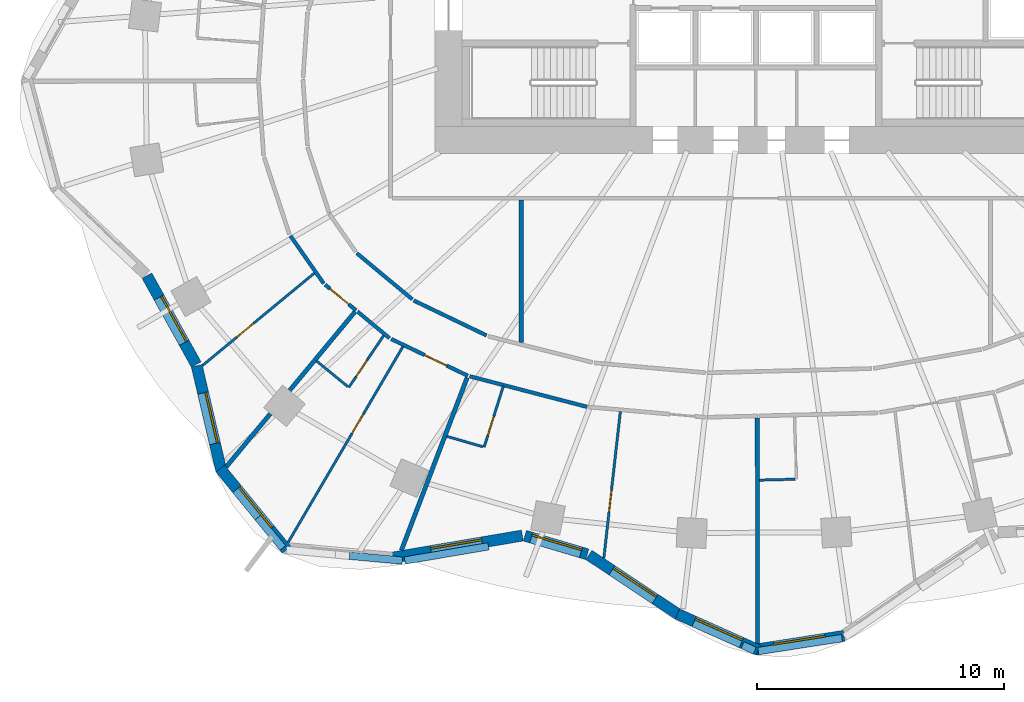
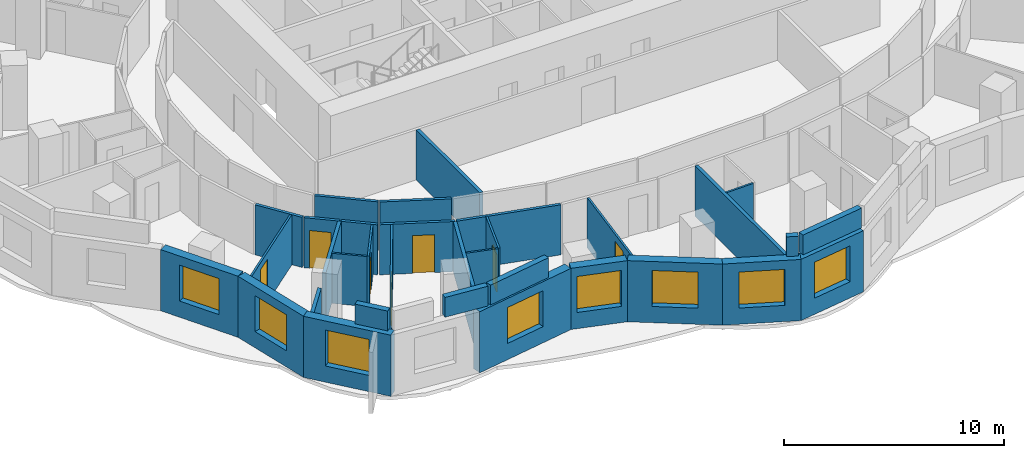
# One storey, part 3 of 11: 33 walls, 8 windows, 7 doors, 15 openings.
"""IFC4 building model written with IfcOpenShell, lengths in metres."""

import ifcopenshell
import ifcopenshell.guid

model = None  # the IFC model being written
_history = None  # IfcOwnerHistory: only IFC2X3 demands one
_inside = {}  # id of a spatial element -> (the spatial element, [elements in it])
_under = {}  # id of a project, library or spatial element -> (it, [spatial elements below it])
_declared = {}  # id of a project -> (the project, [libraries it declares])
_typed = {}  # id of a type object -> (the type object, [elements of that type])
_made_of = {}  # id of a material, layer set ... -> (it, [elements and type objects made of it])


def new_model(schema):
    """Start an empty IFC model of exactly this schema.

    Asked for "IFC4X3", IfcOpenShell would pick the latest addendum, in which some entities
    have other attributes; the version numbers below select the first issue.
    IFC2X3 requires an IfcOwnerHistory on every rooted entity: one is made here for all.
    """
    global model, _history
    if schema == "IFC4X3":
        model = ifcopenshell.file(schema_version=(4, 3, 0, 0))
    else:
        model = ifcopenshell.file(schema=schema)
    _inside.clear()
    _under.clear()
    _declared.clear()
    _typed.clear()
    _made_of.clear()
    _history = None
    if model.schema == "IFC2X3":
        org = make("IfcOrganization", Name="unknown")
        user = make(
            "IfcPersonAndOrganization",
            ThePerson=make("IfcPerson", FamilyName="unknown"),
            TheOrganization=org,
        )
        app = make(
            "IfcApplication",
            ApplicationDeveloper=org,
            Version="unknown",
            ApplicationFullName="unknown",
            ApplicationIdentifier="unknown",
        )
        _history = make(
            "IfcOwnerHistory",
            OwningUser=user,
            OwningApplication=app,
            ChangeAction="ADDED",
            CreationDate=0,
        )
    return model


def make(cls, **values):
    """One entity of the class cls with the attributes given. An attribute that is None is left unset."""
    return model.create_entity(
        cls, **{name: value for name, value in values.items() if value is not None}
    )


def rooted(cls, **values):
    """An entity with a GlobalId (a new one), such as an element, a storey or a relation."""
    return make(cls, GlobalId=ifcopenshell.guid.new(), OwnerHistory=_history, **values)


def si_unit(unit_type, name, prefix=None):
    """IfcSIUnit, for example si_unit("LENGTHUNIT", "METRE", prefix="MILLI")."""
    return make("IfcSIUnit", UnitType=unit_type, Prefix=prefix, Name=name)


def assignment(units):
    """IfcUnitAssignment: the units of a project."""
    return None if units is None else make("IfcUnitAssignment", Units=units)


def point(xyz):
    """IfcCartesianPoint."""
    return None if xyz is None else make("IfcCartesianPoint", Coordinates=xyz)


def direction(xyz):
    """IfcDirection."""
    return None if xyz is None else make("IfcDirection", DirectionRatios=xyz)


def frame(location, z_axis=None, x_axis=None):
    """IfcAxis2Placement3D, a coordinate frame: its origin and axes. An axis left out is left unset."""
    return make(
        "IfcAxis2Placement3D",
        Location=point(location),
        Axis=direction(z_axis),
        RefDirection=direction(x_axis),
    )


def frame_2d(location, x_axis=None):
    """IfcAxis2Placement2D, a coordinate frame in the plane: its origin and x axis."""
    return make(
        "IfcAxis2Placement2D", Location=point(location), RefDirection=direction(x_axis)
    )


def origin():
    """The frame at (0, 0, 0) with its axes left unset."""
    return frame((0.0, 0.0, 0.0))


def place(relative_to, where):
    """IfcLocalPlacement: puts the frame where relative to a parent placement (None: the world)."""
    return make(
        "IfcLocalPlacement", PlacementRelTo=relative_to, RelativePlacement=where
    )


def context(
    kind, dimensions, precision=None, world=None, true_north=None, identifier=None
):
    """IfcGeometricRepresentationContext, for example the 3D "Model" context."""
    return make(
        "IfcGeometricRepresentationContext",
        ContextIdentifier=identifier,
        ContextType=kind,
        CoordinateSpaceDimension=dimensions,
        Precision=precision,
        WorldCoordinateSystem=world,
        TrueNorth=true_north,
    )


def subcontext(parent, identifier, kind, view, scale=None):
    """IfcGeometricRepresentationSubContext, for example "Body" below "Model"."""
    return make(
        "IfcGeometricRepresentationSubContext",
        ContextIdentifier=identifier,
        ContextType=kind,
        ParentContext=parent,
        TargetScale=scale,
        TargetView=view,
    )


def project(units=None, contexts=None):
    """IfcProject with its units and contexts."""
    return rooted(
        "IfcProject",
        Name="project",
        RepresentationContexts=contexts,
        UnitsInContext=assignment(units),
    )


def spatial(cls, under=None, at=None, **own):
    """A site, building, storey or space (cls), placed at a placement, below another one or the project."""
    s = rooted(cls, ObjectPlacement=at, **own)
    if under is not None:
        _under.setdefault(under.id(), (under, []))[1].append(s)
    return s


def profile(cls, at=None, kind="AREA", **sizes):
    """A parametric profile (cls). Its sizes go by their IFC names, for example OverallWidth=200.0."""
    return make(cls, ProfileType=kind, Position=at, **sizes)


def rectangle(**sizes):
    """IfcRectangleProfileDef."""
    return profile("IfcRectangleProfileDef", **sizes)


def extrude(swept, where, along, depth):
    """IfcExtrudedAreaSolid: the profile swept, set in the frame where, extruded along a direction by depth."""
    return make(
        "IfcExtrudedAreaSolid",
        SweptArea=swept,
        Position=where,
        ExtrudedDirection=direction(along),
        Depth=depth,
    )


def shape(context_of_items, identifier, shape_type, items):
    """IfcShapeRepresentation: the items that make up one representation, for example the "Body"."""
    return make(
        "IfcShapeRepresentation",
        ContextOfItems=context_of_items,
        RepresentationIdentifier=identifier,
        RepresentationType=shape_type,
        Items=items,
    )


def material(Name=None, Category=None):
    """IfcMaterial."""
    return make("IfcMaterial", Name=Name, Category=Category)


def layer(
    of_material, thickness, ventilated=None, Name=None, Category=None, Priority=None
):
    """IfcMaterialLayer: one layer of a wall or slab, of a material (None: an air gap)."""
    return make(
        "IfcMaterialLayer",
        Material=of_material,
        LayerThickness=thickness,
        IsVentilated=ventilated,
        Name=Name,
        Category=Category,
        Priority=Priority,
    )


def layer_set(layers, Name=None):
    """IfcMaterialLayerSet."""
    return make("IfcMaterialLayerSet", MaterialLayers=layers, LayerSetName=Name)


def made_of(thing, what):
    """Note that an element or type object is made of a material, layer set ...; save() writes the relation."""
    if what is not None:
        _made_of.setdefault(what.id(), (what, []))[1].append(thing)
    return thing


def type_object(cls, material=None, **own):
    """A type object (cls), such as IfcWallType, which elements share."""
    return made_of(rooted(cls, **own), material)


def element(
    cls,
    number,
    at=None,
    inside=None,
    cuts=None,
    type_object=None,
    material=None,
    context=None,
    identifier="Body",
    shape_type=None,
    held_by="IfcProductDefinitionShape",
    body=None,
    shapes=None,
    **own,
):
    """One element of the class cls, such as IfcWall. Its Tag is "e" and its number.

    at: its placement. inside: the storey or other place that contains it. cuts: it is an
    opening in that element (IfcRelVoidsElement). A single representation is given by context,
    identifier, shape_type and body (its items); several are given by shapes. held_by: the class
    of the entity that holds the representations. save() writes the other relations.
    """
    e = rooted(cls, Tag="e%d" % number, ObjectPlacement=at, **own)
    if body is not None:
        shapes = [shape(context, identifier, shape_type, body)]
    if shapes is not None:
        e.Representation = make(held_by, Representations=shapes)
    if inside is not None:
        _inside.setdefault(inside.id(), (inside, []))[1].append(e)
    if cuts is not None:
        rooted(
            "IfcRelVoidsElement", RelatingBuildingElement=cuts, RelatedOpeningElement=e
        )
    if type_object is not None:
        _typed.setdefault(type_object.id(), (type_object, []))[1].append(e)
    return made_of(e, material)


def fill(opening, filler):
    """IfcRelFillsElement: the door or window that sits in an opening."""
    return rooted(
        "IfcRelFillsElement",
        RelatingOpeningElement=opening,
        RelatedBuildingElement=filler,
    )


def aggregate(whole, parts):
    """IfcRelAggregates: a whole, such as a stair, and the parts it consists of."""
    return rooted("IfcRelAggregates", RelatingObject=whole, RelatedObjects=parts)


def save(model, path):
    """Write the relations noted so far, then the file.

    IfcRelAggregates (storeys below a building ...), IfcRelContainedInSpatialStructure (elements
    in a storey), IfcRelDefinesByType, IfcRelAssociatesMaterial and IfcRelDeclares: one each for
    every whole, place, type object, material and project.
    """
    for whole, parts in _under.values():
        aggregate(whole, parts)
    for where, things in _inside.values():
        rooted(
            "IfcRelContainedInSpatialStructure",
            RelatedElements=things,
            RelatingStructure=where,
        )
    for kind, things in _typed.values():
        rooted("IfcRelDefinesByType", RelatedObjects=things, RelatingType=kind)
    for what, things in _made_of.values():
        rooted("IfcRelAssociatesMaterial", RelatedObjects=things, RelatingMaterial=what)
    for by, libraries in _declared.values():
        rooted("IfcRelDeclares", RelatingContext=by, RelatedDefinitions=libraries)
    model.write(path)


model = new_model("IFC4")

# Units and contexts
model_context = context("Model", 3, precision=1e-05, world=origin(), true_north=direction((0.0, 1.0)))
body_context = subcontext(model_context, "Body", "Model", "MODEL_VIEW")
ifc_project = project(units=[si_unit("LENGTHUNIT", "METRE"), si_unit("AREAUNIT", "SQUARE_METRE"), si_unit("VOLUMEUNIT", "CUBIC_METRE"), si_unit("PLANEANGLEUNIT", "RADIAN"), si_unit("MASSUNIT", "GRAM", prefix="KILO")], contexts=[model_context])

# Site, building, storey
site_placement = place(None, origin())
site = spatial("IfcSite", under=ifc_project, at=site_placement, CompositionType="ELEMENT")
building_placement = place(site_placement, origin())
building = spatial("IfcBuilding", under=site, at=building_placement, Name="Rubra Terraces Tower", CompositionType="ELEMENT")
storey_placement = place(building_placement, frame((0.0, 0.0, 81.60009765625)))
storey = spatial("IfcBuildingStorey", under=building, at=storey_placement, Name="L18", CompositionType="ELEMENT", Elevation=81.60009765625)

# Walls
ifc_material_1 = material(Name="Twin plasterboard on staggered steel stud, acoustic mineral wool", Category="steel")
ifc_layer_1 = layer(ifc_material_1, 0.175048828125)
ifc_layer_set_1 = layer_set([ifc_layer_1], Name="Twin plasterboard on staggered steel stud, acoustic mineral wool")
wall_type_1 = type_object("IfcWallType", Name="ACOUSTIC PARTY WALL 175", PredefinedType="PARTITIONING", material=ifc_layer_set_1)
wall_1_placement = place(storey_placement, frame((-21.45263671875, -15.681640625, 0.0), z_axis=(0.0, 0.0, 1.0), x_axis=(0.638677193702, 0.769474783371, 0.0)))
element("IfcWall", 1, at=wall_1_placement, inside=storey, type_object=wall_type_1, Name="PARTITION", PredefinedType="PARTITIONING", context=body_context, shape_type="SweptSolid", body=[
    extrude(rectangle(XDim=2.79052734375, YDim=0.175048828125, at=frame_2d((1.395263671875, 0.0))), origin(), (0.0, 0.0, 1.0), 2.783935546875),
])
wall_2_placement = place(storey_placement, frame((-18.878173828125, -12.580322265625, 0.0), z_axis=(0.0, 0.0, 1.0), x_axis=(0.638746790079, 0.769417011876, 0.0)))
element("IfcWall", 2, at=wall_2_placement, inside=storey, type_object=wall_type_1, Name="PARTITION", PredefinedType="PARTITIONING", context=body_context, shape_type="SweptSolid", body=[
    extrude(rectangle(XDim=4.129150390625, YDim=0.175048828125, at=frame_2d((2.064453125, 0.0))), origin(), (0.0, 0.0, 1.0), 2.783935546875),
])
wall_3_placement = place(storey_placement, frame((-14.358642578125, -19.062744140625, 0.0), z_axis=(0.0, 0.0, 1.0), x_axis=(0.355741824807, 0.934584268048, 0.0)))
element("IfcWall", 3, at=wall_3_placement, inside=storey, type_object=wall_type_1, Name="PARTITION", PredefinedType="PARTITIONING", context=body_context, shape_type="SweptSolid", body=[
    extrude(rectangle(XDim=7.489501953125, YDim=0.175048828125, at=frame_2d((3.74462890625, 0.0))), origin(), (0.0, 0.0, 1.0), 2.783935546875),
])
wall_4_placement = place(storey_placement, frame((0.0625, -22.83740234375, 0.0), z_axis=(0.0, 0.0, 1.0), x_axis=(-0.000614184887, 0.999999811388, 0.0)))
element("IfcWall", 4, at=wall_4_placement, inside=storey, type_object=wall_type_1, Name="PARTITION", PredefinedType="PARTITIONING", context=body_context, shape_type="SweptSolid", body=[
    extrude(rectangle(XDim=9.142578125, YDim=0.175048828125, at=frame_2d((4.5712890625, 0.0))), origin(), (0.0, 0.0, 1.0), 2.783935546875),
])
wall_5_placement = place(storey_placement, frame((-9.5, -10.653564453125, 0.0), z_axis=(0.0, 0.0, 1.0), x_axis=(0.0, 1.0, 0.0)))
element("IfcWall", 5, at=wall_5_placement, inside=storey, type_object=wall_type_1, Name="PARTITION", PredefinedType="PARTITIONING", context=body_context, shape_type="SweptSolid", body=[
    extrude(rectangle(XDim=5.778564453125, YDim=0.175048828125, at=frame_2d((2.88916015625, 0.0))), origin(), (0.0, 0.0, 1.0), 2.783935546875),
])

# Wall, opening, window
ifc_material_2 = material(Name="Brick masonry red-brown", Category="masonry")
ifc_layer_2 = layer(ifc_material_2, 0.449951171875)
ifc_layer_set_2 = layer_set([ifc_layer_2], Name="Brick masonry red-brown")
wall_type_2 = type_object("IfcWallType", Name="Brick facade wall 450", PredefinedType="SOLIDWALL", material=ifc_layer_set_2)
wall_6_placement = place(storey_placement, frame((-24.662109375, -7.93896484375, 0.0), z_axis=(0.0, 0.0, 1.0), x_axis=(0.485153910721, -0.874428775208, 0.0)))
wall_6 = element("IfcWall", 6, at=wall_6_placement, inside=storey, type_object=wall_type_2, Name="Facade wall L18 bay 23", PredefinedType="SOLIDWALL", context=body_context, shape_type="SweptSolid", body=[
    extrude(rectangle(XDim=4.1123046875, YDim=0.449951171875, at=frame_2d((2.05615234375, 0.0))), origin(), (0.0, 0.0, 1.0), 3.39990234375),
])
opening_1_placement = place(wall_6_placement, frame((1.006103515625, 0.0, 0.89990234375)))
opening_1 = element("IfcOpeningElement", 7, at=opening_1_placement, cuts=wall_6, Name="Opening W1", PredefinedType="OPENING", context=body_context, shape_type="SweptSolid", body=[
    extrude(rectangle(XDim=2.10009765625, YDim=2.0, at=frame_2d((1.050048828125, 1.0))), frame((0.0, 0.23486328125, 0.0), z_axis=(0.0, -1.0, 0.0), x_axis=(1.0, 0.0, 0.0)), (0.0, 0.0, 1.0), 0.469970703125),
])
ifc_material_3 = material(Name="Clear glass in aluminium frame", Category="aluminium")
window_type = type_object("IfcWindowType", Name="Fixed deep-set window 2100 x 2000", PartitioningType="SINGLE_PANEL", PredefinedType="WINDOW", material=ifc_material_3)
window_1_placement = place(opening_1_placement, origin())
window_1 = element("IfcWindow", 8, at=window_1_placement, inside=storey, type_object=window_type, Name="Window L18 bay 23", OverallHeight=2.0, OverallWidth=2.10009765625, PartitioningType="SINGLE_PANEL", PredefinedType="WINDOW", context=body_context, shape_type="SweptSolid", body=[
    extrude(rectangle(XDim=2.10009765625, YDim=2.0, at=frame_2d((1.050048828125, 1.0))), frame((0.0, 0.135009765625, 0.0), z_axis=(0.0, -1.0, 0.0), x_axis=(1.0, 0.0, 0.0)), (0.0, 0.0, 1.0), 0.06005859375),
])
fill(opening_1, window_1)

wall_7_placement = place(storey_placement, frame((-22.646484375, -11.5859375, 0.0), z_axis=(0.0, 0.0, 1.0), x_axis=(0.227925124198, -0.973678662475, 0.0)))
wall_7 = element("IfcWall", 9, at=wall_7_placement, inside=storey, type_object=wall_type_2, Name="Facade wall L18 bay 24", PredefinedType="SOLIDWALL", context=body_context, shape_type="SweptSolid", body=[
    extrude(rectangle(XDim=4.360595703125, YDim=0.449951171875, at=frame_2d((2.18017578125, 0.0))), origin(), (0.0, 0.0, 1.0), 3.39990234375),
])
opening_2_placement = place(wall_7_placement, frame((1.13037109375, 0.0, 0.89990234375)))
opening_2 = element("IfcOpeningElement", 10, at=opening_2_placement, cuts=wall_7, Name="Opening W1", PredefinedType="OPENING", context=body_context, shape_type="SweptSolid", body=[
    extrude(rectangle(XDim=2.10009765625, YDim=2.0, at=frame_2d((1.050048828125, 1.0))), frame((0.0, 0.23486328125, 0.0), z_axis=(0.0, -1.0, 0.0), x_axis=(1.0, 0.0, 0.0)), (0.0, 0.0, 1.0), 0.469970703125),
])
window_2_placement = place(opening_2_placement, origin())
window_2 = element("IfcWindow", 11, at=window_2_placement, inside=storey, type_object=window_type, Name="Window L18 bay 24", OverallHeight=2.0, OverallWidth=2.10009765625, PartitioningType="SINGLE_PANEL", PredefinedType="WINDOW", context=body_context, shape_type="SweptSolid", body=[
    extrude(rectangle(XDim=2.10009765625, YDim=2.0, at=frame_2d((1.050048828125, 1.0))), frame((0.0, 0.135009765625, 0.0), z_axis=(0.0, -1.0, 0.0), x_axis=(1.0, 0.0, 0.0)), (0.0, 0.0, 1.0), 0.06005859375),
])
fill(opening_2, window_2)

wall_8_placement = place(storey_placement, frame((-21.69580078125, -15.74755859375, 0.0), z_axis=(0.0, 0.0, 1.0), x_axis=(0.632968710519, -0.774177377288, 0.0)))
wall_8 = element("IfcWall", 12, at=wall_8_placement, inside=storey, type_object=wall_type_2, Name="Facade wall L18 bay 25", PredefinedType="SOLIDWALL", context=body_context, shape_type="SweptSolid", body=[
    extrude(rectangle(XDim=4.249755859375, YDim=0.449951171875, at=frame_2d((2.125, 0.0))), origin(), (0.0, 0.0, 1.0), 3.39990234375),
])
opening_3_placement = place(wall_8_placement, frame((1.074951171875, 0.0, 0.89990234375)))
opening_3 = element("IfcOpeningElement", 13, at=opening_3_placement, cuts=wall_8, Name="Opening W1", PredefinedType="OPENING", context=body_context, shape_type="SweptSolid", body=[
    extrude(rectangle(XDim=2.10009765625, YDim=2.0, at=frame_2d((1.050048828125, 1.0))), frame((0.0, 0.23486328125, 0.0), z_axis=(0.0, -1.0, 0.0), x_axis=(1.0, 0.0, 0.0)), (0.0, 0.0, 1.0), 0.469970703125),
])
window_3_placement = place(opening_3_placement, origin())
window_3 = element("IfcWindow", 14, at=window_3_placement, inside=storey, type_object=window_type, Name="Window L18 bay 25", OverallHeight=2.0, OverallWidth=2.10009765625, PartitioningType="SINGLE_PANEL", PredefinedType="WINDOW", context=body_context, shape_type="SweptSolid", body=[
    extrude(rectangle(XDim=2.10009765625, YDim=2.0, at=frame_2d((1.050048828125, 1.0))), frame((0.0, 0.135009765625, 0.0), z_axis=(0.0, -1.0, 0.0), x_axis=(1.0, 0.0, 0.0)), (0.0, 0.0, 1.0), 0.06005859375),
])
fill(opening_3, window_3)

wall_9_placement = place(storey_placement, frame((-14.78173828125, -19.366943359375, 0.0), z_axis=(0.0, 0.0, 1.0), x_axis=(0.98585584667, 0.167595493934, 0.0)))
wall_9 = element("IfcWall", 15, at=wall_9_placement, inside=storey, type_object=wall_type_2, Name="Facade wall L18 bay 27", PredefinedType="SOLIDWALL", context=body_context, shape_type="SweptSolid", body=[
    extrude(rectangle(XDim=5.398681640625, YDim=0.449951171875, at=frame_2d((2.69921875, 0.0))), origin(), (0.0, 0.0, 1.0), 3.39990234375),
])
opening_4_placement = place(wall_9_placement, frame((1.6494140625, 0.0, 0.89990234375)))
opening_4 = element("IfcOpeningElement", 16, at=opening_4_placement, cuts=wall_9, Name="Opening W1", PredefinedType="OPENING", context=body_context, shape_type="SweptSolid", body=[
    extrude(rectangle(XDim=2.10009765625, YDim=2.0, at=frame_2d((1.050048828125, 1.0))), frame((0.0, 0.23486328125, 0.0), z_axis=(0.0, -1.0, 0.0), x_axis=(1.0, 0.0, 0.0)), (0.0, 0.0, 1.0), 0.469970703125),
])
window_4_placement = place(opening_4_placement, origin())
window_4 = element("IfcWindow", 17, at=window_4_placement, inside=storey, type_object=window_type, Name="Window L18 bay 27", OverallHeight=2.0, OverallWidth=2.10009765625, PartitioningType="SINGLE_PANEL", PredefinedType="WINDOW", context=body_context, shape_type="SweptSolid", body=[
    extrude(rectangle(XDim=2.10009765625, YDim=2.0, at=frame_2d((1.050048828125, 1.0))), frame((0.0, 0.135009765625, 0.0), z_axis=(0.0, -1.0, 0.0), x_axis=(1.0, 0.0, 0.0)), (0.0, 0.0, 1.0), 0.06005859375),
])
fill(opening_4, window_4)

wall_10_placement = place(storey_placement, frame((-9.357421875, -18.468505859375, 0.0), z_axis=(0.0, 0.0, 1.0), x_axis=(0.958524054629, -0.285011643091, 0.0)))
wall_10 = element("IfcWall", 18, at=wall_10_placement, inside=storey, type_object=wall_type_2, Name="Facade wall L18 bay 28", PredefinedType="SOLIDWALL", context=body_context, shape_type="SweptSolid", body=[
    extrude(rectangle(XDim=2.637451171875, YDim=0.449951171875, at=frame_2d((1.31884765625, 0.0))), origin(), (0.0, 0.0, 1.0), 3.39990234375),
])
opening_5_placement = place(wall_10_placement, frame((0.268798828125, 0.0, 0.89990234375)))
opening_5 = element("IfcOpeningElement", 19, at=opening_5_placement, cuts=wall_10, Name="Opening W1", PredefinedType="OPENING", context=body_context, shape_type="SweptSolid", body=[
    extrude(rectangle(XDim=2.10009765625, YDim=2.0, at=frame_2d((1.050048828125, 1.0))), frame((0.0, 0.23486328125, 0.0), z_axis=(0.0, -1.0, 0.0), x_axis=(1.0, 0.0, 0.0)), (0.0, 0.0, 1.0), 0.469970703125),
])
window_5_placement = place(opening_5_placement, origin())
window_5 = element("IfcWindow", 20, at=window_5_placement, inside=storey, type_object=window_type, Name="Window L18 bay 28", OverallHeight=2.0, OverallWidth=2.10009765625, PartitioningType="SINGLE_PANEL", PredefinedType="WINDOW", context=body_context, shape_type="SweptSolid", body=[
    extrude(rectangle(XDim=2.10009765625, YDim=2.0, at=frame_2d((1.050048828125, 1.0))), frame((0.0, 0.135009765625, 0.0), z_axis=(0.0, -1.0, 0.0), x_axis=(1.0, 0.0, 0.0)), (0.0, 0.0, 1.0), 0.06005859375),
])
fill(opening_5, window_5)

wall_11_placement = place(storey_placement, frame((-6.76904296875, -19.248291015625, 0.0), z_axis=(0.0, 0.0, 1.0), x_axis=(0.832973379274, -0.553313066375, 0.0)))
wall_11 = element("IfcWall", 21, at=wall_11_placement, inside=storey, type_object=wall_type_2, Name="Facade wall L18 bay 29", PredefinedType="SOLIDWALL", context=body_context, shape_type="SweptSolid", body=[
    extrude(rectangle(XDim=4.348388671875, YDim=0.449951171875, at=frame_2d((2.17431640625, 0.0))), origin(), (0.0, 0.0, 1.0), 3.39990234375),
])
opening_6_placement = place(wall_11_placement, frame((1.1240234375, 0.0, 0.89990234375)))
opening_6 = element("IfcOpeningElement", 22, at=opening_6_placement, cuts=wall_11, Name="Opening W1", PredefinedType="OPENING", context=body_context, shape_type="SweptSolid", body=[
    extrude(rectangle(XDim=2.10009765625, YDim=2.0, at=frame_2d((1.050048828125, 1.0))), frame((0.0, 0.23486328125, 0.0), z_axis=(0.0, -1.0, 0.0), x_axis=(1.0, 0.0, 0.0)), (0.0, 0.0, 1.0), 0.469970703125),
])
window_6_placement = place(opening_6_placement, origin())
window_6 = element("IfcWindow", 23, at=window_6_placement, inside=storey, type_object=window_type, Name="Window L18 bay 29", OverallHeight=2.0, OverallWidth=2.10009765625, PartitioningType="SINGLE_PANEL", PredefinedType="WINDOW", context=body_context, shape_type="SweptSolid", body=[
    extrude(rectangle(XDim=2.10009765625, YDim=2.0, at=frame_2d((1.050048828125, 1.0))), frame((0.0, 0.135009765625, 0.0), z_axis=(0.0, -1.0, 0.0), x_axis=(1.0, 0.0, 0.0)), (0.0, 0.0, 1.0), 0.06005859375),
])
fill(opening_6, window_6)

wall_12_placement = place(storey_placement, frame((-3.179443359375, -21.63623046875, 0.0), z_axis=(0.0, 0.0, 1.0), x_axis=(0.912608353595, -0.40883492139, 0.0)))
wall_12 = element("IfcWall", 24, at=wall_12_placement, inside=storey, type_object=wall_type_2, Name="Facade wall L18 bay 30", PredefinedType="SOLIDWALL", context=body_context, shape_type="SweptSolid", body=[
    extrude(rectangle(XDim=3.584716796875, YDim=0.449951171875, at=frame_2d((1.79248046875, 0.0))), origin(), (0.0, 0.0, 1.0), 3.39990234375),
])
opening_7_placement = place(wall_12_placement, frame((0.7421875, 0.0, 0.89990234375)))
opening_7 = element("IfcOpeningElement", 25, at=opening_7_placement, cuts=wall_12, Name="Opening W1", PredefinedType="OPENING", context=body_context, shape_type="SweptSolid", body=[
    extrude(rectangle(XDim=2.10009765625, YDim=2.0, at=frame_2d((1.050048828125, 1.0))), frame((0.0, 0.23486328125, 0.0), z_axis=(0.0, -1.0, 0.0), x_axis=(1.0, 0.0, 0.0)), (0.0, 0.0, 1.0), 0.469970703125),
])
window_7_placement = place(opening_7_placement, origin())
window_7 = element("IfcWindow", 26, at=window_7_placement, inside=storey, type_object=window_type, Name="Window L18 bay 30", OverallHeight=2.0, OverallWidth=2.10009765625, PartitioningType="SINGLE_PANEL", PredefinedType="WINDOW", context=body_context, shape_type="SweptSolid", body=[
    extrude(rectangle(XDim=2.10009765625, YDim=2.0, at=frame_2d((1.050048828125, 1.0))), frame((0.0, 0.135009765625, 0.0), z_axis=(0.0, -1.0, 0.0), x_axis=(1.0, 0.0, 0.0)), (0.0, 0.0, 1.0), 0.06005859375),
])
fill(opening_7, window_7)

wall_13_placement = place(storey_placement, frame((-0.03466796875, -23.084716796875, 0.0), z_axis=(0.0, 0.0, 1.0), x_axis=(0.988133637562, 0.153596596054, 0.0)))
wall_13 = element("IfcWall", 27, at=wall_13_placement, inside=storey, type_object=wall_type_2, Name="Facade wall L18 bay 31", PredefinedType="SOLIDWALL", context=body_context, shape_type="SweptSolid", body=[
    extrude(rectangle(XDim=3.646240234375, YDim=0.449951171875, at=frame_2d((1.8232421875, 0.0))), origin(), (0.0, 0.0, 1.0), 3.39990234375),
])
opening_8_placement = place(wall_13_placement, frame((0.773193359375, 0.0, 0.89990234375)))
opening_8 = element("IfcOpeningElement", 28, at=opening_8_placement, cuts=wall_13, Name="Opening W1", PredefinedType="OPENING", context=body_context, shape_type="SweptSolid", body=[
    extrude(rectangle(XDim=2.10009765625, YDim=2.0, at=frame_2d((1.050048828125, 1.0))), frame((0.0, 0.23486328125, 0.0), z_axis=(0.0, -1.0, 0.0), x_axis=(1.0, 0.0, 0.0)), (0.0, 0.0, 1.0), 0.469970703125),
])
window_8_placement = place(opening_8_placement, origin())
window_8 = element("IfcWindow", 29, at=window_8_placement, inside=storey, type_object=window_type, Name="Window L18 bay 31", OverallHeight=2.0, OverallWidth=2.10009765625, PartitioningType="SINGLE_PANEL", PredefinedType="WINDOW", context=body_context, shape_type="SweptSolid", body=[
    extrude(rectangle(XDim=2.10009765625, YDim=2.0, at=frame_2d((1.050048828125, 1.0))), frame((0.0, 0.135009765625, 0.0), z_axis=(0.0, -1.0, 0.0), x_axis=(1.0, 0.0, 0.0)), (0.0, 0.0, 1.0), 0.06005859375),
])
fill(opening_8, window_8)

# Walls
ifc_layer_3 = layer(ifc_material_2, 0.300048828125)
ifc_layer_set_3 = layer_set([ifc_layer_3], Name="Brick masonry red-brown")
wall_type_3 = type_object("IfcWallType", Name="Brick parapet 300", PredefinedType="PARAPET", material=ifc_layer_set_3)
wall_14_placement = place(storey_placement, frame((-20.16845703125, -17.734130859375, 3.599853515625), z_axis=(0.0, 0.0, 1.0), x_axis=(0.632995189145, -0.774155727564, 0.0)))
element("IfcWall", 30, at=wall_14_placement, inside=storey, type_object=wall_type_3, Name="Parapet L18 bay 25", PredefinedType="PARAPET", context=body_context, shape_type="SweptSolid", body=[
    extrude(rectangle(XDim=1.58935546875, YDim=0.300048828125, at=frame_2d((0.794677734375, 0.0))), origin(), (0.0, 0.0, 1.0), 1.10009765625),
])
wall_15_placement = place(storey_placement, frame((-16.461669921875, -19.27978515625, 3.599853515625), z_axis=(0.0, 0.0, 1.0), x_axis=(0.995778015376, -0.091794030816, 0.0)))
element("IfcWall", 31, at=wall_15_placement, inside=storey, type_object=wall_type_3, Name="Parapet L18 bay 26.2", PredefinedType="PARAPET", context=body_context, shape_type="SweptSolid", body=[
    extrude(rectangle(XDim=2.151611328125, YDim=0.300048828125, at=frame_2d((1.07568359375, 0.0))), origin(), (0.0, 0.0, 1.0), 1.10009765625),
])
wall_16_placement = place(storey_placement, frame((-14.220947265625, -19.473388671875, 3.599853515625), z_axis=(0.0, 0.0, 1.0), x_axis=(0.985864880964, 0.167542342353, 0.0)))
element("IfcWall", 32, at=wall_16_placement, inside=storey, type_object=wall_type_3, Name="Parapet L18 bay 27", PredefinedType="PARAPET", context=body_context, shape_type="SweptSolid", body=[
    extrude(rectangle(XDim=3.4375, YDim=0.300048828125, at=frame_2d((1.71875, 0.0))), origin(), (0.0, 0.0, 1.0), 1.10009765625),
])
wall_17_placement = place(storey_placement, frame((-0.54541015625, -22.898193359375, 3.599853515625), z_axis=(0.0, 0.0, 1.0), x_axis=(0.912497815069, -0.409081578044, 0.0)))
element("IfcWall", 33, at=wall_17_placement, inside=storey, type_object=wall_type_3, Name="Parapet L18 bay 30", PredefinedType="PARAPET", context=body_context, shape_type="SweptSolid", body=[
    extrude(rectangle(XDim=0.546142578125, YDim=0.300048828125, at=frame_2d((0.27294921875, 0.0))), origin(), (0.0, 0.0, 1.0), 1.10009765625),
])
wall_18_placement = place(storey_placement, frame((0.09423828125, -23.140380859375, 3.599853515625), z_axis=(0.0, 0.0, 1.0), x_axis=(0.988150084887, 0.153490748056, 0.0)))
element("IfcWall", 34, at=wall_18_placement, inside=storey, type_object=wall_type_3, Name="Parapet L18 bay 31", PredefinedType="PARAPET", context=body_context, shape_type="SweptSolid", body=[
    extrude(rectangle(XDim=3.42919921875, YDim=0.300048828125, at=frame_2d((1.714599609375, 0.0))), origin(), (0.0, 0.0, 1.0), 1.10009765625),
])
ifc_material_4 = material(Name="Plasterboard on steel stud, mineral wool infill", Category="steel")
ifc_layer_4 = layer(ifc_material_4, 0.14990234375)
ifc_layer_set_4 = layer_set([ifc_layer_4], Name="Plasterboard on steel stud, mineral wool infill")
wall_type_4 = type_object("IfcWallType", Name="CORRIDOR PARTITION 150", PredefinedType="PARTITIONING", material=ifc_layer_set_4)
wall_19_placement = place(storey_placement, frame((-18.85107421875, -6.324951171875, 0.0), z_axis=(0.0, 0.0, 1.0), x_axis=(0.572090775968, -0.820190309656, 0.0)))
element("IfcWall", 35, at=wall_19_placement, inside=storey, type_object=wall_type_4, Name="PARTITION", PredefinedType="PARTITIONING", context=body_context, shape_type="SweptSolid", body=[
    extrude(rectangle(XDim=2.354736328125, YDim=0.14990234375, at=frame_2d((1.17724609375, 0.0))), origin(), (0.0, 0.0, 1.0), 2.783935546875),
])

# Wall, opening, door
wall_20_placement = place(storey_placement, frame((-17.4462890625, -8.30419921875, 0.0), z_axis=(0.0, 0.0, 1.0), x_axis=(0.769202835614, -0.639004693006, 0.0)))
wall_20 = element("IfcWall", 36, at=wall_20_placement, inside=storey, type_object=wall_type_4, Name="PARTITION", PredefinedType="PARTITIONING", context=body_context, shape_type="SweptSolid", body=[
    extrude(rectangle(XDim=1.62939453125, YDim=0.14990234375, at=frame_2d((0.814697265625, 0.0))), origin(), (0.0, 0.0, 1.0), 2.783935546875),
])
opening_9_placement = place(wall_20_placement, frame((0.25, 0.0, 0.0)))
opening_9 = element("IfcOpeningElement", 37, at=opening_9_placement, cuts=wall_20, Name="Opening 18-120", PredefinedType="OPENING", context=body_context, shape_type="SweptSolid", body=[
    extrude(rectangle(XDim=1.0, YDim=2.10009765625, at=frame_2d((0.5, 1.050048828125))), frame((0.0, 0.0849609375, 0.0), z_axis=(0.0, -1.0, 0.0), x_axis=(1.0, 0.0, 0.0)), (0.0, 0.0, 1.0), 0.169921875),
])
ifc_material_5 = material(Name="Painted timber door leaf", Category="wood")
door_type_1 = type_object("IfcDoorType", Name="ROOM DOOR 1000 X 2100", OperationType="SINGLE_SWING_LEFT", PredefinedType="DOOR", material=ifc_material_5)
door_1_placement = place(opening_9_placement, origin())
door_1 = element("IfcDoor", 38, at=door_1_placement, inside=storey, type_object=door_type_1, Name="DOOR 18-120", OperationType="SINGLE_SWING_RIGHT", OverallHeight=2.10009765625, OverallWidth=1.0, PredefinedType="DOOR", context=body_context, shape_type="SweptSolid", body=[
    extrude(rectangle(XDim=1.0, YDim=2.10009765625, at=frame_2d((0.5, 1.050048828125))), frame((0.0, 0.02490234375, 0.0), z_axis=(0.0, -1.0, 0.0), x_axis=(1.0, 0.0, 0.0)), (0.0, 0.0, 1.0), 0.050048828125),
])
fill(opening_9, door_1)

# Wall
wall_21_placement = place(storey_placement, frame((-16.13525390625, -9.393310546875, 0.0), z_axis=(0.0, 0.0, 1.0), x_axis=(0.769193658028, -0.639015740376, 0.0)))
element("IfcWall", 39, at=wall_21_placement, inside=storey, type_object=wall_type_4, Name="PARTITION", PredefinedType="PARTITIONING", context=body_context, shape_type="SweptSolid", body=[
    extrude(rectangle(XDim=1.68603515625, YDim=0.14990234375, at=frame_2d((0.843017578125, 0.0))), origin(), (0.0, 0.0, 1.0), 2.783935546875),
])

# Wall, opening, door
wall_22_placement = place(storey_placement, frame((-14.77099609375, -10.50341796875, 0.0), z_axis=(0.0, 0.0, 1.0), x_axis=(0.901503135339, -0.432772569573, 0.0)))
wall_22 = element("IfcWall", 40, at=wall_22_placement, inside=storey, type_object=wall_type_4, Name="PARTITION", PredefinedType="PARTITIONING", context=body_context, shape_type="SweptSolid", body=[
    extrude(rectangle(XDim=3.4423828125, YDim=0.14990234375, at=frame_2d((1.72119140625, 0.0))), origin(), (0.0, 0.0, 1.0), 2.783935546875),
])
opening_10_placement = place(wall_22_placement, frame((1.50390625, 0.0, 0.0)))
opening_10 = element("IfcOpeningElement", 41, at=opening_10_placement, cuts=wall_22, Name="Opening 18-123", PredefinedType="OPENING", context=body_context, shape_type="SweptSolid", body=[
    extrude(rectangle(XDim=1.0, YDim=2.10009765625, at=frame_2d((0.5, 1.050048828125))), frame((0.0, 0.0849609375, 0.0), z_axis=(0.0, -1.0, 0.0), x_axis=(1.0, 0.0, 0.0)), (0.0, 0.0, 1.0), 0.169921875),
])
door_2_placement = place(opening_10_placement, origin())
door_2 = element("IfcDoor", 42, at=door_2_placement, inside=storey, type_object=door_type_1, Name="DOOR 18-123", OperationType="SINGLE_SWING_RIGHT", OverallHeight=2.10009765625, OverallWidth=1.0, PredefinedType="DOOR", context=body_context, shape_type="SweptSolid", body=[
    extrude(rectangle(XDim=1.0, YDim=2.10009765625, at=frame_2d((0.5, 1.050048828125))), frame((0.0, 0.02490234375, 0.0), z_axis=(0.0, -1.0, 0.0), x_axis=(1.0, 0.0, 0.0)), (0.0, 0.0, 1.0), 0.050048828125),
])
fill(opening_10, door_2)

# Walls
wall_23_placement = place(storey_placement, frame((-11.59521484375, -12.01220703125, 0.0), z_axis=(0.0, 0.0, 1.0), x_axis=(0.967696436642, -0.252118239146, 0.0)))
element("IfcWall", 43, at=wall_23_placement, inside=storey, type_object=wall_type_4, Name="PARTITION", PredefinedType="PARTITIONING", context=body_context, shape_type="SweptSolid", body=[
    extrude(rectangle(XDim=4.90966796875, YDim=0.14990234375, at=frame_2d((2.454833984375, 0.0))), origin(), (0.0, 0.0, 1.0), 2.783935546875),
])
wall_24_placement = place(storey_placement, frame((-10.91259765625, -10.35888671875, 0.0), z_axis=(0.0, 0.0, 1.0), x_axis=(-0.90149741277, 0.432784489982, 0.0)))
element("IfcWall", 44, at=wall_24_placement, inside=storey, type_object=wall_type_4, Name="PARTITION", PredefinedType="PARTITIONING", context=body_context, shape_type="SweptSolid", body=[
    extrude(rectangle(XDim=3.2685546875, YDim=0.14990234375, at=frame_2d((1.63427734375, 0.0))), origin(), (0.0, 0.0, 1.0), 2.783935546875),
])
wall_25_placement = place(storey_placement, frame((-13.916748046875, -8.896484375, 0.0), z_axis=(0.0, 0.0, 1.0), x_axis=(-0.769130409479, 0.639091866021, 0.0)))
element("IfcWall", 45, at=wall_25_placement, inside=storey, type_object=wall_type_4, Name="PARTITION", PredefinedType="PARTITIONING", context=body_context, shape_type="SweptSolid", body=[
    extrude(rectangle(XDim=2.925048828125, YDim=0.14990234375, at=frame_2d((1.46240234375, 0.0))), origin(), (0.0, 0.0, 1.0), 2.783935546875),
])

# Wall, opening, door
ifc_material_6 = material(Name="Plasterboard on steel stud", Category="steel")
ifc_layer_5 = layer(ifc_material_6, 0.10009765625)
ifc_layer_set_5 = layer_set([ifc_layer_5], Name="Plasterboard on steel stud")
wall_type_5 = type_object("IfcWallType", Name="ROOM PARTITION 100", PredefinedType="PARTITIONING", material=ifc_layer_set_5)
wall_26_placement = place(storey_placement, frame((-22.41357421875, -11.576416015625, 0.0), z_axis=(0.0, 0.0, 1.0), x_axis=(0.771144598581, 0.636660041214, 0.0)))
wall_26 = element("IfcWall", 46, at=wall_26_placement, inside=storey, type_object=wall_type_5, Name="PARTITION", PredefinedType="PARTITIONING", context=body_context, shape_type="SweptSolid", body=[
    extrude(rectangle(XDim=5.870849609375, YDim=0.10009765625, at=frame_2d((2.935546875, 0.0))), origin(), (0.0, 0.0, 1.0), 2.783935546875),
])
opening_11_placement = place(wall_26_placement, frame((1.7958984375, 0.0, 0.0)))
opening_11 = element("IfcOpeningElement", 47, at=opening_11_placement, cuts=wall_26, Name="Opening 18-119", PredefinedType="OPENING", context=body_context, shape_type="SweptSolid", body=[
    extrude(rectangle(XDim=0.89990234375, YDim=2.39990234375, at=frame_2d((0.449951171875, 1.199951171875))), frame((0.0, 0.06005859375, 0.0), z_axis=(0.0, -1.0, 0.0), x_axis=(1.0, 0.0, 0.0)), (0.0, 0.0, 1.0), 0.1201171875),
])
ifc_material_7 = material(Name="Veneered timber door leaf, fire-rated", Category="wood")
door_type_2 = type_object("IfcDoorType", Name="SUITE ENTRANCE DOOR 900 X 2400", OperationType="SINGLE_SWING_LEFT", PredefinedType="DOOR", material=ifc_material_7)
door_3_placement = place(opening_11_placement, origin())
door_3 = element("IfcDoor", 48, at=door_3_placement, inside=storey, type_object=door_type_2, Name="DOOR 18-119", OperationType="SINGLE_SWING_LEFT", OverallHeight=2.39990234375, OverallWidth=0.89990234375, PredefinedType="DOOR", context=body_context, shape_type="SweptSolid", body=[
    extrude(rectangle(XDim=0.89990234375, YDim=2.39990234375, at=frame_2d((0.449951171875, 1.199951171875))), frame((0.0, 0.02490234375, 0.0), z_axis=(0.0, -1.0, 0.0), x_axis=(1.0, 0.0, 0.0)), (0.0, 0.0, 1.0), 0.050048828125),
])
fill(opening_11, door_3)

wall_27_placement = place(storey_placement, frame((-18.94873046875, -18.745361328125, 0.0), z_axis=(0.0, 0.0, 1.0), x_axis=(0.505730402321, 0.862691578821, 0.0)))
wall_27 = element("IfcWall", 49, at=wall_27_placement, inside=storey, type_object=wall_type_5, Name="PARTITION", PredefinedType="PARTITIONING", context=body_context, shape_type="SweptSolid", body=[
    extrude(rectangle(XDim=9.19482421875, YDim=0.10009765625, at=frame_2d((4.597412109375, 0.0))), origin(), (0.0, 0.0, 1.0), 2.783935546875),
])
opening_12_placement = place(wall_27_placement, frame((5.1201171875, 0.0, 0.0)))
opening_12 = element("IfcOpeningElement", 50, at=opening_12_placement, cuts=wall_27, Name="Opening 18-122", PredefinedType="OPENING", context=body_context, shape_type="SweptSolid", body=[
    extrude(rectangle(XDim=0.89990234375, YDim=2.39990234375, at=frame_2d((0.449951171875, 1.199951171875))), frame((0.0, 0.06005859375, 0.0), z_axis=(0.0, -1.0, 0.0), x_axis=(1.0, 0.0, 0.0)), (0.0, 0.0, 1.0), 0.1201171875),
])
door_4_placement = place(opening_12_placement, origin())
door_4 = element("IfcDoor", 51, at=door_4_placement, inside=storey, type_object=door_type_2, Name="DOOR 18-122", OperationType="SINGLE_SWING_LEFT", OverallHeight=2.39990234375, OverallWidth=0.89990234375, PredefinedType="DOOR", context=body_context, shape_type="SweptSolid", body=[
    extrude(rectangle(XDim=0.89990234375, YDim=2.39990234375, at=frame_2d((0.449951171875, 1.199951171875))), frame((0.0, 0.02490234375, 0.0), z_axis=(0.0, -1.0, 0.0), x_axis=(1.0, 0.0, 0.0)), (0.0, 0.0, 1.0), 0.050048828125),
])
fill(opening_12, door_4)

wall_28_placement = place(storey_placement, frame((-15.0810546875, -10.366455078125, 0.0), z_axis=(0.0, 0.0, 1.0), x_axis=(-0.557375152116, -0.830260766147, 0.0)))
wall_28 = element("IfcWall", 52, at=wall_28_placement, inside=storey, type_object=wall_type_5, Name="PARTITION", PredefinedType="PARTITIONING", context=body_context, shape_type="SweptSolid", body=[
    extrude(rectangle(XDim=2.524658203125, YDim=0.10009765625, at=frame_2d((1.26220703125, 0.0))), origin(), (0.0, 0.0, 1.0), 2.783935546875),
])
opening_13_placement = place(wall_28_placement, frame((1.199951171875, 0.0, 0.0)))
opening_13 = element("IfcOpeningElement", 53, at=opening_13_placement, cuts=wall_28, Name="Opening 18-121", PredefinedType="OPENING", context=body_context, shape_type="SweptSolid", body=[
    extrude(rectangle(XDim=0.800048828125, YDim=2.10009765625, at=frame_2d((0.39990234375, 1.050048828125))), frame((0.0, 0.06005859375, 0.0), z_axis=(0.0, -1.0, 0.0), x_axis=(1.0, 0.0, 0.0)), (0.0, 0.0, 1.0), 0.1201171875),
])
door_type_3 = type_object("IfcDoorType", Name="BATHROOM DOOR 800 X 2100", OperationType="SINGLE_SWING_LEFT", PredefinedType="DOOR", material=ifc_material_5)
door_5_placement = place(opening_13_placement, origin())
door_5 = element("IfcDoor", 54, at=door_5_placement, inside=storey, type_object=door_type_3, Name="DOOR 18-121", OperationType="SINGLE_SWING_RIGHT", OverallHeight=2.10009765625, OverallWidth=0.800048828125, PredefinedType="DOOR", context=body_context, shape_type="SweptSolid", body=[
    extrude(rectangle(XDim=0.800048828125, YDim=2.10009765625, at=frame_2d((0.39990234375, 1.050048828125))), frame((0.0, 0.02490234375, 0.0), z_axis=(0.0, -1.0, 0.0), x_axis=(1.0, 0.0, 0.0)), (0.0, 0.0, 1.0), 0.050048828125),
])
fill(opening_13, door_5)

# Wall
wall_29_placement = place(storey_placement, frame((-16.527099609375, -12.430908203125, 0.0), z_axis=(0.0, 0.0, 1.0), x_axis=(-0.774063507304, 0.63310795814, 0.0)))
element("IfcWall", 55, at=wall_29_placement, inside=storey, type_object=wall_type_5, Name="PARTITION", PredefinedType="PARTITIONING", context=body_context, shape_type="SweptSolid", body=[
    extrude(rectangle(XDim=1.638427734375, YDim=0.10009765625, at=frame_2d((0.8193359375, 0.0))), origin(), (0.0, 0.0, 1.0), 2.783935546875),
])

# Wall, opening, door
wall_30_placement = place(storey_placement, frame((-6.160888671875, -19.37744140625, 0.0), z_axis=(0.0, 0.0, 1.0), x_axis=(0.111916919639, 0.993717567067, 0.0)))
wall_30 = element("IfcWall", 56, at=wall_30_placement, inside=storey, type_object=wall_type_5, Name="PARTITION", PredefinedType="PARTITIONING", context=body_context, shape_type="SweptSolid", body=[
    extrude(rectangle(XDim=5.970703125, YDim=0.10009765625, at=frame_2d((2.9853515625, 0.0))), origin(), (0.0, 0.0, 1.0), 2.783935546875),
])
opening_14_placement = place(wall_30_placement, frame((1.89599609375, 0.0, 0.0)))
opening_14 = element("IfcOpeningElement", 57, at=opening_14_placement, cuts=wall_30, Name="Opening 18-125", PredefinedType="OPENING", context=body_context, shape_type="SweptSolid", body=[
    extrude(rectangle(XDim=0.89990234375, YDim=2.39990234375, at=frame_2d((0.449951171875, 1.199951171875))), frame((0.0, 0.06005859375, 0.0), z_axis=(0.0, -1.0, 0.0), x_axis=(1.0, 0.0, 0.0)), (0.0, 0.0, 1.0), 0.1201171875),
])
door_6_placement = place(opening_14_placement, origin())
door_6 = element("IfcDoor", 58, at=door_6_placement, inside=storey, type_object=door_type_2, Name="DOOR 18-125", OperationType="SINGLE_SWING_LEFT", OverallHeight=2.39990234375, OverallWidth=0.89990234375, PredefinedType="DOOR", context=body_context, shape_type="SweptSolid", body=[
    extrude(rectangle(XDim=0.89990234375, YDim=2.39990234375, at=frame_2d((0.449951171875, 1.199951171875))), frame((0.0, 0.02490234375, 0.0), z_axis=(0.0, -1.0, 0.0), x_axis=(1.0, 0.0, 0.0)), (0.0, 0.0, 1.0), 0.050048828125),
])
fill(opening_14, door_6)

wall_31_placement = place(storey_placement, frame((-10.228515625, -12.401611328125, 0.0), z_axis=(0.0, 0.0, 1.0), x_axis=(-0.299899842135, -0.95397069383, 0.0)))
wall_31 = element("IfcWall", 59, at=wall_31_placement, inside=storey, type_object=wall_type_5, Name="PARTITION", PredefinedType="PARTITIONING", context=body_context, shape_type="SweptSolid", body=[
    extrude(rectangle(XDim=2.60009765625, YDim=0.10009765625, at=frame_2d((1.300048828125, 0.0))), origin(), (0.0, 0.0, 1.0), 2.783935546875),
])
opening_15_placement = place(wall_31_placement, frame((1.300048828125, 0.0, 0.0)))
opening_15 = element("IfcOpeningElement", 60, at=opening_15_placement, cuts=wall_31, Name="Opening 18-124", PredefinedType="OPENING", context=body_context, shape_type="SweptSolid", body=[
    extrude(rectangle(XDim=0.800048828125, YDim=2.10009765625, at=frame_2d((0.39990234375, 1.050048828125))), frame((0.0, 0.06005859375, 0.0), z_axis=(0.0, -1.0, 0.0), x_axis=(1.0, 0.0, 0.0)), (0.0, 0.0, 1.0), 0.1201171875),
])
door_7_placement = place(opening_15_placement, origin())
door_7 = element("IfcDoor", 61, at=door_7_placement, inside=storey, type_object=door_type_3, Name="DOOR 18-124", OperationType="SINGLE_SWING_LEFT", OverallHeight=2.10009765625, OverallWidth=0.800048828125, PredefinedType="DOOR", context=body_context, shape_type="SweptSolid", body=[
    extrude(rectangle(XDim=0.800048828125, YDim=2.10009765625, at=frame_2d((0.39990234375, 1.050048828125))), frame((0.0, 0.02490234375, 0.0), z_axis=(0.0, -1.0, 0.0), x_axis=(1.0, 0.0, 0.0)), (0.0, 0.0, 1.0), 0.050048828125),
])
fill(opening_15, door_7)

# Walls
wall_32_placement = place(storey_placement, frame((-11.05615234375, -14.8681640625, 0.0), z_axis=(0.0, 0.0, 1.0), x_axis=(-0.960532741446, 0.278166950966, 0.0)))
element("IfcWall", 62, at=wall_32_placement, inside=storey, type_object=wall_type_5, Name="PARTITION", PredefinedType="PARTITIONING", context=body_context, shape_type="SweptSolid", body=[
    extrude(rectangle(XDim=1.5244140625, YDim=0.10009765625, at=frame_2d((0.76220703125, 0.0))), origin(), (0.0, 0.0, 1.0), 2.783935546875),
])
wall_33_placement = place(storey_placement, frame((1.58935546875, -16.180908203125, 0.0), z_axis=(0.0, 0.0, 1.0), x_axis=(-0.999675274808, -0.025482247488, 0.0)))
element("IfcWall", 63, at=wall_33_placement, inside=storey, type_object=wall_type_5, Name="PARTITION", PredefinedType="PARTITIONING", context=body_context, shape_type="SweptSolid", body=[
    extrude(rectangle(XDim=1.456298828125, YDim=0.10009765625, at=frame_2d((0.72802734375, 0.0))), origin(), (0.0, 0.0, 1.0), 2.783935546875),
])

save(model, "model.ifc")
